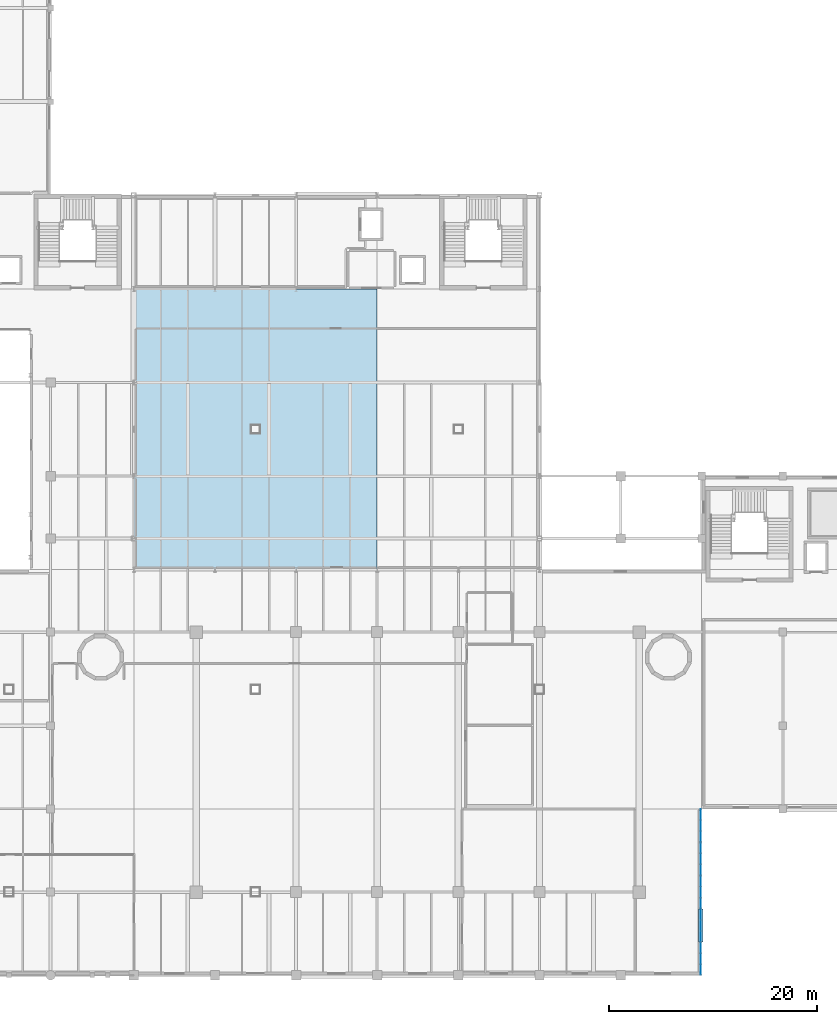
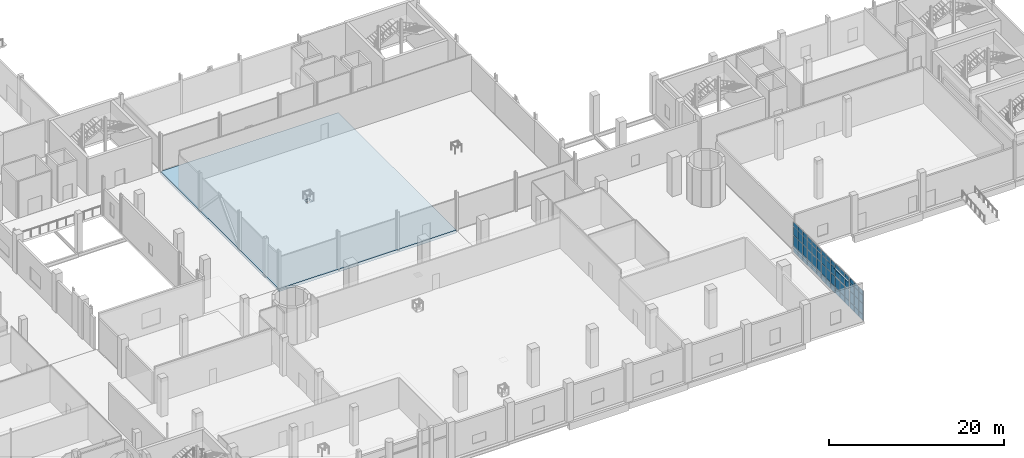
# One storey, part 31 of 57: 61 plates, 1 slab, 5 elements without a shape of their own.
"""IFC4 building model written with IfcOpenShell, lengths in metres."""

from ifc_helpers import new_model, si_unit, derived_unit, direction, frame, origin, origin_2d, place, context, subcontext, project, spatial, polyline, rectangle, outline, extrude, material, layer, layer_set, type_object, element, aggregate, save


model = new_model("IFC4")

# Units and contexts
model_context = context("Model", 3, precision=1e-05, world=origin(), true_north=direction((0.0, 1.0)))
body_context = subcontext(model_context, "Body", "Model", "MODEL_VIEW")
ifc_project = project(units=[si_unit("LENGTHUNIT", "METRE"), si_unit("AREAUNIT", "SQUARE_METRE"), si_unit("VOLUMEUNIT", "CUBIC_METRE"), si_unit("PLANEANGLEUNIT", "RADIAN"), si_unit("MASSUNIT", "GRAM", prefix="KILO"), derived_unit("THERMALTRANSMITTANCEUNIT", [(si_unit("POWERUNIT", "WATT"), 1), (si_unit("LENGTHUNIT", "METRE"), -2), (si_unit("THERMODYNAMICTEMPERATUREUNIT", "KELVIN"), -1)])], contexts=[model_context])

# Site, building, storey
site_placement = place(None, origin())
site = spatial("IfcSite", under=ifc_project, at=site_placement, CompositionType="ELEMENT")
building_placement = place(site_placement, origin())
building = spatial("IfcBuilding", under=site, at=building_placement, Name="Nallur Shell Playhouse", CompositionType="ELEMENT")
storey_placement = place(building_placement, origin())
storey = spatial("IfcBuildingStorey", under=building, at=storey_placement, Name="L01", CompositionType="ELEMENT", Elevation=0.0)

# Curtain wall, plates
ifc_material_1 = material(Name="Anodised Aluminium Double-Glazed Facade System", Category="aluminium")
ifc_layer_1 = layer(ifc_material_1, 0.1640625)
ifc_layer_set_1 = layer_set([ifc_layer_1], Name="Anodised Aluminium Double-Glazed Facade System")
curtain_wall_type_1 = type_object("IfcCurtainWallType", Name="CW-UNIT-01", PredefinedType="NOTDEFINED", material=ifc_layer_set_1)
curtain_wall_1_placement = place(storey_placement, origin())
curtain_wall_1 = element("IfcCurtainWall", 1, at=curtain_wall_1_placement, inside=storey, type_object=curtain_wall_type_1, Name="Unitised curtain wall CW-001 (L01)", PredefinedType="NOTDEFINED")
ifc_material_2 = material(Name="Solar-Control Low-E Laminated Insulating Glass", Category="glass")
ifc_layer_2 = layer(ifc_material_2, 0.02587890625)
ifc_layer_set_2 = layer_set([ifc_layer_2], Name="Solar-Control Low-E Laminated Insulating Glass")
plate_type_1 = type_object("IfcPlateType", Name="PT-GLZ-01", PredefinedType="CURTAIN_PANEL", material=ifc_layer_set_2)
plate_1_placement = place(storey_placement, frame((118.510009765625, 23.451171875, 0.05712890625), z_axis=(0.0, 0.0, 1.0), x_axis=(0.0, -1.0, 0.0)))
plate_1 = element("IfcPlate", 2, at=plate_1_placement, type_object=plate_type_1, Name="CW-01 panel 1.1", PredefinedType="CURTAIN_PANEL", context=body_context, shape_type="SweptSolid", body=[
    extrude(rectangle(XDim=0.9833984375, YDim=0.02587890625, at=origin_2d()), origin(), (0.0, 0.0, 1.0), 0.818603515625),
])
plate_2_placement = place(storey_placement, frame((118.510009765625, 23.451171875, 0.92431640625), z_axis=(0.0, 0.0, 1.0), x_axis=(0.0, -1.0, 0.0)))
plate_2 = element("IfcPlate", 3, at=plate_2_placement, type_object=plate_type_1, Name="CW-01 panel 1.2", PredefinedType="CURTAIN_PANEL", context=body_context, shape_type="SweptSolid", body=[
    extrude(rectangle(XDim=0.9833984375, YDim=0.02587890625, at=origin_2d()), origin(), (0.0, 0.0, 1.0), 1.450927734375),
])
plate_3_placement = place(storey_placement, frame((118.510009765625, 23.451171875, 2.42431640625), z_axis=(0.0, 0.0, 1.0), x_axis=(0.0, -1.0, 0.0)))
plate_3 = element("IfcPlate", 4, at=plate_3_placement, type_object=plate_type_1, Name="CW-01 panel 1.3", PredefinedType="CURTAIN_PANEL", context=body_context, shape_type="SweptSolid", body=[
    extrude(rectangle(XDim=0.9833984375, YDim=0.02587890625, at=origin_2d()), origin(), (0.0, 0.0, 1.0), 1.156005859375),
])
plate_4_placement = place(storey_placement, frame((118.510009765625, 23.451171875, 3.62939453125), z_axis=(0.0, 0.0, 1.0), x_axis=(0.0, -1.0, 0.0)))
plate_4 = element("IfcPlate", 5, at=plate_4_placement, type_object=plate_type_1, Name="CW-01 panel 1.4", PredefinedType="CURTAIN_PANEL", context=body_context, shape_type="SweptSolid", body=[
    extrude(rectangle(XDim=0.9833984375, YDim=0.02587890625, at=origin_2d()), origin(), (0.0, 0.0, 1.0), 0.598388671875),
])
plate_5_placement = place(storey_placement, frame((118.510009765625, 22.402587890625, 0.05712890625), z_axis=(0.0, 0.0, 1.0), x_axis=(0.0, -1.0, 0.0)))
plate_5 = element("IfcPlate", 6, at=plate_5_placement, type_object=plate_type_1, Name="CW-01 panel 2.1", PredefinedType="CURTAIN_PANEL", context=body_context, shape_type="SweptSolid", body=[
    extrude(rectangle(XDim=1.01611328125, YDim=0.02587890625, at=origin_2d()), origin(), (0.0, 0.0, 1.0), 0.818603515625),
])
plate_6_placement = place(storey_placement, frame((118.510009765625, 22.402587890625, 0.92431640625), z_axis=(0.0, 0.0, 1.0), x_axis=(0.0, -1.0, 0.0)))
plate_6 = element("IfcPlate", 7, at=plate_6_placement, type_object=plate_type_1, Name="CW-01 panel 2.2", PredefinedType="CURTAIN_PANEL", context=body_context, shape_type="SweptSolid", body=[
    extrude(rectangle(XDim=1.01611328125, YDim=0.02587890625, at=origin_2d()), origin(), (0.0, 0.0, 1.0), 1.450927734375),
])
plate_7_placement = place(storey_placement, frame((118.510009765625, 22.402587890625, 2.42431640625), z_axis=(0.0, 0.0, 1.0), x_axis=(0.0, -1.0, 0.0)))
plate_7 = element("IfcPlate", 8, at=plate_7_placement, type_object=plate_type_1, Name="CW-01 panel 2.3", PredefinedType="CURTAIN_PANEL", context=body_context, shape_type="SweptSolid", body=[
    extrude(rectangle(XDim=1.01611328125, YDim=0.02587890625, at=origin_2d()), origin(), (0.0, 0.0, 1.0), 1.156005859375),
])
plate_8_placement = place(storey_placement, frame((118.510009765625, 22.402587890625, 3.62939453125), z_axis=(0.0, 0.0, 1.0), x_axis=(0.0, -1.0, 0.0)))
plate_8 = element("IfcPlate", 9, at=plate_8_placement, type_object=plate_type_1, Name="CW-01 panel 2.4", PredefinedType="CURTAIN_PANEL", context=body_context, shape_type="SweptSolid", body=[
    extrude(rectangle(XDim=1.01611328125, YDim=0.02587890625, at=origin_2d()), origin(), (0.0, 0.0, 1.0), 0.598388671875),
])
plate_9_placement = place(storey_placement, frame((118.510009765625, 21.353759765625, 0.05712890625), z_axis=(0.0, 0.0, 1.0), x_axis=(0.0, -1.0, 0.0)))
plate_9 = element("IfcPlate", 10, at=plate_9_placement, type_object=plate_type_1, Name="CW-01 panel 3.1", PredefinedType="CURTAIN_PANEL", context=body_context, shape_type="SweptSolid", body=[
    extrude(rectangle(XDim=0.9833984375, YDim=0.02587890625, at=origin_2d()), origin(), (0.0, 0.0, 1.0), 0.818603515625),
])
plate_10_placement = place(storey_placement, frame((118.510009765625, 21.353759765625, 0.92431640625), z_axis=(0.0, 0.0, 1.0), x_axis=(0.0, -1.0, 0.0)))
plate_10 = element("IfcPlate", 11, at=plate_10_placement, type_object=plate_type_1, Name="CW-01 panel 3.2", PredefinedType="CURTAIN_PANEL", context=body_context, shape_type="SweptSolid", body=[
    extrude(rectangle(XDim=0.9833984375, YDim=0.02587890625, at=origin_2d()), origin(), (0.0, 0.0, 1.0), 1.450927734375),
])
plate_11_placement = place(storey_placement, frame((118.510009765625, 21.353759765625, 2.42431640625), z_axis=(0.0, 0.0, 1.0), x_axis=(0.0, -1.0, 0.0)))
plate_11 = element("IfcPlate", 12, at=plate_11_placement, type_object=plate_type_1, Name="CW-01 panel 3.3", PredefinedType="CURTAIN_PANEL", context=body_context, shape_type="SweptSolid", body=[
    extrude(rectangle(XDim=0.9833984375, YDim=0.02587890625, at=origin_2d()), origin(), (0.0, 0.0, 1.0), 1.156005859375),
])
plate_12_placement = place(storey_placement, frame((118.510009765625, 21.353759765625, 3.62939453125), z_axis=(0.0, 0.0, 1.0), x_axis=(0.0, -1.0, 0.0)))
plate_12 = element("IfcPlate", 13, at=plate_12_placement, type_object=plate_type_1, Name="CW-01 panel 3.4", PredefinedType="CURTAIN_PANEL", context=body_context, shape_type="SweptSolid", body=[
    extrude(rectangle(XDim=0.9833984375, YDim=0.02587890625, at=origin_2d()), origin(), (0.0, 0.0, 1.0), 0.598388671875),
])
aggregate(curtain_wall_1, [plate_1, plate_2, plate_3, plate_4, plate_5, plate_6, plate_7, plate_8, plate_9, plate_10, plate_11, plate_12])

ifc_layer_3 = layer(ifc_material_1, 0.16796875)
ifc_layer_set_3 = layer_set([ifc_layer_3], Name="Anodised Aluminium Double-Glazed Facade System")
curtain_wall_type_2 = type_object("IfcCurtainWallType", Name="CW-UNIT-02", PredefinedType="NOTDEFINED", material=ifc_layer_set_3)
curtain_wall_2_placement = place(storey_placement, origin())
curtain_wall_2 = element("IfcCurtainWall", 14, at=curtain_wall_2_placement, inside=storey, type_object=curtain_wall_type_2, Name="Unitised curtain wall CW-002 (L01)", PredefinedType="NOTDEFINED")
ifc_layer_4 = layer(ifc_material_2, 0.028076171875)
ifc_layer_set_4 = layer_set([ifc_layer_4], Name="Solar-Control Low-E Laminated Insulating Glass")
plate_type_2 = type_object("IfcPlateType", Name="PT-GLZ-02", PredefinedType="CURTAIN_PANEL", material=ifc_layer_set_4)
plate_13_placement = place(storey_placement, frame((118.510009765625, 20.243408203125, 0.092041015625), z_axis=(0.0, 0.0, 1.0), x_axis=(0.0, -1.0, 0.0)))
plate_13 = element("IfcPlate", 15, at=plate_13_placement, type_object=plate_type_2, Name="CW-02 panel 1.1", PredefinedType="CURTAIN_PANEL", context=body_context, shape_type="SweptSolid", body=[
    extrude(rectangle(XDim=0.959228515625, YDim=0.028076171875, at=origin_2d()), origin(), (0.0, 0.0, 1.0), 0.76611328125),
])
plate_14_placement = place(storey_placement, frame((118.510009765625, 20.243408203125, 0.94189453125), z_axis=(0.0, 0.0, 1.0), x_axis=(0.0, -1.0, 0.0)))
plate_14 = element("IfcPlate", 16, at=plate_14_placement, type_object=plate_type_2, Name="CW-02 panel 1.2", PredefinedType="CURTAIN_PANEL", context=body_context, shape_type="SweptSolid", body=[
    extrude(rectangle(XDim=0.959228515625, YDim=0.028076171875, at=origin_2d()), origin(), (0.0, 0.0, 1.0), 1.404052734375),
])
plate_15_placement = place(storey_placement, frame((118.510009765625, 20.243408203125, 2.43017578125), z_axis=(0.0, 0.0, 1.0), x_axis=(0.0, -1.0, 0.0)))
plate_15 = element("IfcPlate", 17, at=plate_15_placement, type_object=plate_type_2, Name="CW-02 panel 1.3", PredefinedType="CURTAIN_PANEL", context=body_context, shape_type="SweptSolid", body=[
    extrude(rectangle(XDim=0.959228515625, YDim=0.028076171875, at=origin_2d()), origin(), (0.0, 0.0, 1.0), 1.113037109375),
])
plate_16_placement = place(storey_placement, frame((118.510009765625, 20.243408203125, 3.626953125), z_axis=(0.0, 0.0, 1.0), x_axis=(0.0, -1.0, 0.0)))
plate_16 = element("IfcPlate", 18, at=plate_16_placement, type_object=plate_type_2, Name="CW-02 panel 1.4", PredefinedType="CURTAIN_PANEL", context=body_context, shape_type="SweptSolid", body=[
    extrude(rectangle(XDim=0.959228515625, YDim=0.028076171875, at=origin_2d()), origin(), (0.0, 0.0, 1.0), 0.5458984375),
])
plate_17_placement = place(storey_placement, frame((118.510009765625, 19.199951171875, 0.092041015625), z_axis=(0.0, 0.0, 1.0), x_axis=(0.0, -1.0, 0.0)))
plate_17 = element("IfcPlate", 19, at=plate_17_placement, type_object=plate_type_2, Name="CW-02 panel 2.1", PredefinedType="CURTAIN_PANEL", context=body_context, shape_type="SweptSolid", body=[
    extrude(rectangle(XDim=0.999267578125, YDim=0.028076171875, at=origin_2d()), origin(), (0.0, 0.0, 1.0), 0.76611328125),
])
plate_18_placement = place(storey_placement, frame((118.510009765625, 19.199951171875, 0.94189453125), z_axis=(0.0, 0.0, 1.0), x_axis=(0.0, -1.0, 0.0)))
plate_18 = element("IfcPlate", 20, at=plate_18_placement, type_object=plate_type_2, Name="CW-02 panel 2.2", PredefinedType="CURTAIN_PANEL", context=body_context, shape_type="SweptSolid", body=[
    extrude(rectangle(XDim=0.999267578125, YDim=0.028076171875, at=origin_2d()), origin(), (0.0, 0.0, 1.0), 1.404052734375),
])
plate_19_placement = place(storey_placement, frame((118.510009765625, 19.199951171875, 2.43017578125), z_axis=(0.0, 0.0, 1.0), x_axis=(0.0, -1.0, 0.0)))
plate_19 = element("IfcPlate", 21, at=plate_19_placement, type_object=plate_type_2, Name="CW-02 panel 2.3", PredefinedType="CURTAIN_PANEL", context=body_context, shape_type="SweptSolid", body=[
    extrude(rectangle(XDim=0.999267578125, YDim=0.028076171875, at=origin_2d()), origin(), (0.0, 0.0, 1.0), 1.113037109375),
])
plate_20_placement = place(storey_placement, frame((118.510009765625, 19.199951171875, 3.626953125), z_axis=(0.0, 0.0, 1.0), x_axis=(0.0, -1.0, 0.0)))
plate_20 = element("IfcPlate", 22, at=plate_20_placement, type_object=plate_type_2, Name="CW-02 panel 2.4", PredefinedType="CURTAIN_PANEL", context=body_context, shape_type="SweptSolid", body=[
    extrude(rectangle(XDim=0.999267578125, YDim=0.028076171875, at=origin_2d()), origin(), (0.0, 0.0, 1.0), 0.5458984375),
])
plate_21_placement = place(storey_placement, frame((118.510009765625, 18.15673828125, 0.092041015625), z_axis=(0.0, 0.0, 1.0), x_axis=(0.0, -1.0, 0.0)))
plate_21 = element("IfcPlate", 23, at=plate_21_placement, type_object=plate_type_2, Name="CW-02 panel 3.1", PredefinedType="CURTAIN_PANEL", context=body_context, shape_type="SweptSolid", body=[
    extrude(rectangle(XDim=0.959228515625, YDim=0.028076171875, at=origin_2d()), origin(), (0.0, 0.0, 1.0), 0.76611328125),
])
plate_22_placement = place(storey_placement, frame((118.510009765625, 18.15673828125, 0.94189453125), z_axis=(0.0, 0.0, 1.0), x_axis=(0.0, -1.0, 0.0)))
plate_22 = element("IfcPlate", 24, at=plate_22_placement, type_object=plate_type_2, Name="CW-02 panel 3.2", PredefinedType="CURTAIN_PANEL", context=body_context, shape_type="SweptSolid", body=[
    extrude(rectangle(XDim=0.959228515625, YDim=0.028076171875, at=origin_2d()), origin(), (0.0, 0.0, 1.0), 1.404052734375),
])
plate_23_placement = place(storey_placement, frame((118.510009765625, 18.15673828125, 2.43017578125), z_axis=(0.0, 0.0, 1.0), x_axis=(0.0, -1.0, 0.0)))
plate_23 = element("IfcPlate", 25, at=plate_23_placement, type_object=plate_type_2, Name="CW-02 panel 3.3", PredefinedType="CURTAIN_PANEL", context=body_context, shape_type="SweptSolid", body=[
    extrude(rectangle(XDim=0.959228515625, YDim=0.028076171875, at=origin_2d()), origin(), (0.0, 0.0, 1.0), 1.113037109375),
])
plate_24_placement = place(storey_placement, frame((118.510009765625, 18.15673828125, 3.626953125), z_axis=(0.0, 0.0, 1.0), x_axis=(0.0, -1.0, 0.0)))
plate_24 = element("IfcPlate", 26, at=plate_24_placement, type_object=plate_type_2, Name="CW-02 panel 3.4", PredefinedType="CURTAIN_PANEL", context=body_context, shape_type="SweptSolid", body=[
    extrude(rectangle(XDim=0.959228515625, YDim=0.028076171875, at=origin_2d()), origin(), (0.0, 0.0, 1.0), 0.5458984375),
])
aggregate(curtain_wall_2, [plate_13, plate_14, plate_15, plate_16, plate_17, plate_18, plate_19, plate_20, plate_21, plate_22, plate_23, plate_24])

ifc_layer_5 = layer(ifc_material_1, 0.172119140625)
ifc_layer_set_5 = layer_set([ifc_layer_5], Name="Anodised Aluminium Double-Glazed Facade System")
curtain_wall_type_3 = type_object("IfcCurtainWallType", Name="CW-UNIT-03", PredefinedType="NOTDEFINED", material=ifc_layer_set_5)
curtain_wall_3_placement = place(storey_placement, origin())
curtain_wall_3 = element("IfcCurtainWall", 27, at=curtain_wall_3_placement, inside=storey, type_object=curtain_wall_type_3, Name="Unitised curtain wall CW-003 (L01)", PredefinedType="NOTDEFINED")
ifc_layer_6 = layer(ifc_material_2, 0.030029296875)
ifc_layer_set_6 = layer_set([ifc_layer_6], Name="Solar-Control Low-E Laminated Insulating Glass")
plate_type_3 = type_object("IfcPlateType", Name="PT-GLZ-03", PredefinedType="CURTAIN_PANEL", material=ifc_layer_set_6)
plate_25_placement = place(storey_placement, frame((118.510009765625, 17.044677734375, 0.05712890625), z_axis=(0.0, 0.0, 1.0), x_axis=(0.0, -1.0, 0.0)))
plate_25 = element("IfcPlate", 28, at=plate_25_placement, type_object=plate_type_3, Name="CW-03 panel 1.1", PredefinedType="CURTAIN_PANEL", context=body_context, shape_type="SweptSolid", body=[
    extrude(rectangle(XDim=0.966796875, YDim=0.030029296875, at=origin_2d()), origin(), (0.0, 0.0, 1.0), 0.818603515625),
])
plate_26_placement = place(storey_placement, frame((118.510009765625, 17.044677734375, 0.92431640625), z_axis=(0.0, 0.0, 1.0), x_axis=(0.0, -1.0, 0.0)))
plate_26 = element("IfcPlate", 29, at=plate_26_placement, type_object=plate_type_3, Name="CW-03 panel 1.2", PredefinedType="CURTAIN_PANEL", context=body_context, shape_type="SweptSolid", body=[
    extrude(rectangle(XDim=0.966796875, YDim=0.030029296875, at=origin_2d()), origin(), (0.0, 0.0, 1.0), 1.427978515625),
])
plate_27_placement = place(storey_placement, frame((118.510009765625, 17.044677734375, 2.4013671875), z_axis=(0.0, 0.0, 1.0), x_axis=(0.0, -1.0, 0.0)))
plate_27 = element("IfcPlate", 30, at=plate_27_placement, type_object=plate_type_3, Name="CW-03 panel 1.3", PredefinedType="CURTAIN_PANEL", context=body_context, shape_type="SweptSolid", body=[
    extrude(rectangle(XDim=0.966796875, YDim=0.030029296875, at=origin_2d()), origin(), (0.0, 0.0, 1.0), 1.138916015625),
])
plate_28_placement = place(storey_placement, frame((118.510009765625, 17.044677734375, 3.58935546875), z_axis=(0.0, 0.0, 1.0), x_axis=(0.0, -1.0, 0.0)))
plate_28 = element("IfcPlate", 31, at=plate_28_placement, type_object=plate_type_3, Name="CW-03 panel 1.4", PredefinedType="CURTAIN_PANEL", context=body_context, shape_type="SweptSolid", body=[
    extrude(rectangle(XDim=0.966796875, YDim=0.030029296875, at=origin_2d()), origin(), (0.0, 0.0, 1.0), 0.598388671875),
])
plate_29_placement = place(storey_placement, frame((118.510009765625, 16.0, 0.05712890625), z_axis=(0.0, 0.0, 1.0), x_axis=(0.0, -1.0, 0.0)))
plate_29 = element("IfcPlate", 32, at=plate_29_placement, type_object=plate_type_3, Name="CW-03 panel 2.1", PredefinedType="CURTAIN_PANEL", context=body_context, shape_type="SweptSolid", body=[
    extrude(rectangle(XDim=1.00439453125, YDim=0.030029296875, at=origin_2d()), origin(), (0.0, 0.0, 1.0), 0.818603515625),
])
plate_30_placement = place(storey_placement, frame((118.510009765625, 16.0, 0.92431640625), z_axis=(0.0, 0.0, 1.0), x_axis=(0.0, -1.0, 0.0)))
plate_30 = element("IfcPlate", 33, at=plate_30_placement, type_object=plate_type_3, Name="CW-03 panel 2.2", PredefinedType="CURTAIN_PANEL", context=body_context, shape_type="SweptSolid", body=[
    extrude(rectangle(XDim=1.00439453125, YDim=0.030029296875, at=origin_2d()), origin(), (0.0, 0.0, 1.0), 1.427978515625),
])
plate_31_placement = place(storey_placement, frame((118.510009765625, 16.0, 2.4013671875), z_axis=(0.0, 0.0, 1.0), x_axis=(0.0, -1.0, 0.0)))
plate_31 = element("IfcPlate", 34, at=plate_31_placement, type_object=plate_type_3, Name="CW-03 panel 2.3", PredefinedType="CURTAIN_PANEL", context=body_context, shape_type="SweptSolid", body=[
    extrude(rectangle(XDim=1.00439453125, YDim=0.030029296875, at=origin_2d()), origin(), (0.0, 0.0, 1.0), 1.138916015625),
])
plate_32_placement = place(storey_placement, frame((118.510009765625, 16.0, 3.58935546875), z_axis=(0.0, 0.0, 1.0), x_axis=(0.0, -1.0, 0.0)))
plate_32 = element("IfcPlate", 35, at=plate_32_placement, type_object=plate_type_3, Name="CW-03 panel 2.4", PredefinedType="CURTAIN_PANEL", context=body_context, shape_type="SweptSolid", body=[
    extrude(rectangle(XDim=1.00439453125, YDim=0.030029296875, at=origin_2d()), origin(), (0.0, 0.0, 1.0), 0.598388671875),
])
plate_33_placement = place(storey_placement, frame((118.510009765625, 14.955322265625, 0.05712890625), z_axis=(0.0, 0.0, 1.0), x_axis=(0.0, -1.0, 0.0)))
plate_33 = element("IfcPlate", 36, at=plate_33_placement, type_object=plate_type_3, Name="CW-03 panel 3.1", PredefinedType="CURTAIN_PANEL", context=body_context, shape_type="SweptSolid", body=[
    extrude(rectangle(XDim=0.966796875, YDim=0.030029296875, at=origin_2d()), origin(), (0.0, 0.0, 1.0), 0.818603515625),
])
plate_34_placement = place(storey_placement, frame((118.510009765625, 14.955322265625, 0.92431640625), z_axis=(0.0, 0.0, 1.0), x_axis=(0.0, -1.0, 0.0)))
plate_34 = element("IfcPlate", 37, at=plate_34_placement, type_object=plate_type_3, Name="CW-03 panel 3.2", PredefinedType="CURTAIN_PANEL", context=body_context, shape_type="SweptSolid", body=[
    extrude(rectangle(XDim=0.966796875, YDim=0.030029296875, at=origin_2d()), origin(), (0.0, 0.0, 1.0), 1.427978515625),
])
plate_35_placement = place(storey_placement, frame((118.510009765625, 14.955322265625, 2.4013671875), z_axis=(0.0, 0.0, 1.0), x_axis=(0.0, -1.0, 0.0)))
plate_35 = element("IfcPlate", 38, at=plate_35_placement, type_object=plate_type_3, Name="CW-03 panel 3.3", PredefinedType="CURTAIN_PANEL", context=body_context, shape_type="SweptSolid", body=[
    extrude(rectangle(XDim=0.966796875, YDim=0.030029296875, at=origin_2d()), origin(), (0.0, 0.0, 1.0), 1.138916015625),
])
plate_36_placement = place(storey_placement, frame((118.510009765625, 14.955322265625, 3.58935546875), z_axis=(0.0, 0.0, 1.0), x_axis=(0.0, -1.0, 0.0)))
plate_36 = element("IfcPlate", 39, at=plate_36_placement, type_object=plate_type_3, Name="CW-03 panel 3.4", PredefinedType="CURTAIN_PANEL", context=body_context, shape_type="SweptSolid", body=[
    extrude(rectangle(XDim=0.966796875, YDim=0.030029296875, at=origin_2d()), origin(), (0.0, 0.0, 1.0), 0.598388671875),
])
aggregate(curtain_wall_3, [plate_25, plate_26, plate_27, plate_28, plate_29, plate_30, plate_31, plate_32, plate_33, plate_34, plate_35, plate_36])

ifc_layer_7 = layer(ifc_material_1, 0.176025390625)
ifc_layer_set_7 = layer_set([ifc_layer_7], Name="Anodised Aluminium Double-Glazed Facade System")
curtain_wall_type_4 = type_object("IfcCurtainWallType", Name="CW-UNIT-04", PredefinedType="NOTDEFINED", material=ifc_layer_set_7)
curtain_wall_4_placement = place(storey_placement, origin())
curtain_wall_4 = element("IfcCurtainWall", 40, at=curtain_wall_4_placement, inside=storey, type_object=curtain_wall_type_4, Name="Unitised curtain wall CW-004 (L01)", PredefinedType="NOTDEFINED")
ifc_layer_8 = layer(ifc_material_2, 0.031982421875)
ifc_layer_set_8 = layer_set([ifc_layer_8], Name="Solar-Control Low-E Laminated Insulating Glass")
plate_type_4 = type_object("IfcPlateType", Name="PT-GLZ-04", PredefinedType="CURTAIN_PANEL", material=ifc_layer_set_8)
plate_37_placement = place(storey_placement, frame((118.510009765625, 13.84716796875, 0.092041015625), z_axis=(0.0, 0.0, 1.0), x_axis=(0.0, -1.0, 0.0)))
plate_37 = element("IfcPlate", 41, at=plate_37_placement, type_object=plate_type_4, Name="CW-04 panel 1.1", PredefinedType="CURTAIN_PANEL", context=body_context, shape_type="SweptSolid", body=[
    extrude(rectangle(XDim=0.98193359375, YDim=0.031982421875, at=origin_2d()), origin(), (0.0, 0.0, 1.0), 0.76611328125),
])
plate_38_placement = place(storey_placement, frame((118.510009765625, 13.84716796875, 0.94189453125), z_axis=(0.0, 0.0, 1.0), x_axis=(0.0, -1.0, 0.0)))
plate_38 = element("IfcPlate", 42, at=plate_38_placement, type_object=plate_type_4, Name="CW-04 panel 1.2", PredefinedType="CURTAIN_PANEL", context=body_context, shape_type="SweptSolid", body=[
    extrude(rectangle(XDim=0.98193359375, YDim=0.031982421875, at=origin_2d()), origin(), (0.0, 0.0, 1.0), 1.427001953125),
])
plate_39_placement = place(storey_placement, frame((118.510009765625, 13.84716796875, 2.453125), z_axis=(0.0, 0.0, 1.0), x_axis=(0.0, -1.0, 0.0)))
plate_39 = element("IfcPlate", 43, at=plate_39_placement, type_object=plate_type_4, Name="CW-04 panel 1.3", PredefinedType="CURTAIN_PANEL", context=body_context, shape_type="SweptSolid", body=[
    extrude(rectangle(XDim=0.98193359375, YDim=0.031982421875, at=origin_2d()), origin(), (0.0, 0.0, 1.0), 1.1298828125),
])
plate_40_placement = place(storey_placement, frame((118.510009765625, 13.84716796875, 3.6669921875), z_axis=(0.0, 0.0, 1.0), x_axis=(0.0, -1.0, 0.0)))
plate_40 = element("IfcPlate", 44, at=plate_40_placement, type_object=plate_type_4, Name="CW-04 panel 1.4", PredefinedType="CURTAIN_PANEL", context=body_context, shape_type="SweptSolid", body=[
    extrude(rectangle(XDim=0.98193359375, YDim=0.031982421875, at=origin_2d()), origin(), (0.0, 0.0, 1.0), 0.5458984375),
])
plate_41_placement = place(storey_placement, frame((118.510009765625, 12.800048828125, 0.092041015625), z_axis=(0.0, 0.0, 1.0), x_axis=(0.0, -1.0, 0.0)))
plate_41 = element("IfcPlate", 45, at=plate_41_placement, type_object=plate_type_4, Name="CW-04 panel 2.1", PredefinedType="CURTAIN_PANEL", context=body_context, shape_type="SweptSolid", body=[
    extrude(rectangle(XDim=1.014404296875, YDim=0.031982421875, at=origin_2d()), origin(), (0.0, 0.0, 1.0), 0.76611328125),
])
plate_42_placement = place(storey_placement, frame((118.510009765625, 12.800048828125, 0.94189453125), z_axis=(0.0, 0.0, 1.0), x_axis=(0.0, -1.0, 0.0)))
plate_42 = element("IfcPlate", 46, at=plate_42_placement, type_object=plate_type_4, Name="CW-04 panel 2.2", PredefinedType="CURTAIN_PANEL", context=body_context, shape_type="SweptSolid", body=[
    extrude(rectangle(XDim=1.014404296875, YDim=0.031982421875, at=origin_2d()), origin(), (0.0, 0.0, 1.0), 1.427001953125),
])
plate_43_placement = place(storey_placement, frame((118.510009765625, 12.800048828125, 2.453125), z_axis=(0.0, 0.0, 1.0), x_axis=(0.0, -1.0, 0.0)))
plate_43 = element("IfcPlate", 47, at=plate_43_placement, type_object=plate_type_4, Name="CW-04 panel 2.3", PredefinedType="CURTAIN_PANEL", context=body_context, shape_type="SweptSolid", body=[
    extrude(rectangle(XDim=1.014404296875, YDim=0.031982421875, at=origin_2d()), origin(), (0.0, 0.0, 1.0), 1.1298828125),
])
plate_44_placement = place(storey_placement, frame((118.510009765625, 12.800048828125, 3.6669921875), z_axis=(0.0, 0.0, 1.0), x_axis=(0.0, -1.0, 0.0)))
plate_44 = element("IfcPlate", 48, at=plate_44_placement, type_object=plate_type_4, Name="CW-04 panel 2.4", PredefinedType="CURTAIN_PANEL", context=body_context, shape_type="SweptSolid", body=[
    extrude(rectangle(XDim=1.014404296875, YDim=0.031982421875, at=origin_2d()), origin(), (0.0, 0.0, 1.0), 0.5458984375),
])
plate_45_placement = place(storey_placement, frame((118.510009765625, 11.7529296875, 0.092041015625), z_axis=(0.0, 0.0, 1.0), x_axis=(0.0, -1.0, 0.0)))
plate_45 = element("IfcPlate", 49, at=plate_45_placement, type_object=plate_type_4, Name="CW-04 panel 3.1", PredefinedType="CURTAIN_PANEL", context=body_context, shape_type="SweptSolid", body=[
    extrude(rectangle(XDim=0.98193359375, YDim=0.031982421875, at=origin_2d()), origin(), (0.0, 0.0, 1.0), 0.76611328125),
])
plate_46_placement = place(storey_placement, frame((118.510009765625, 11.7529296875, 0.94189453125), z_axis=(0.0, 0.0, 1.0), x_axis=(0.0, -1.0, 0.0)))
plate_46 = element("IfcPlate", 50, at=plate_46_placement, type_object=plate_type_4, Name="CW-04 panel 3.2", PredefinedType="CURTAIN_PANEL", context=body_context, shape_type="SweptSolid", body=[
    extrude(rectangle(XDim=0.98193359375, YDim=0.031982421875, at=origin_2d()), origin(), (0.0, 0.0, 1.0), 1.427001953125),
])
plate_47_placement = place(storey_placement, frame((118.510009765625, 11.7529296875, 2.453125), z_axis=(0.0, 0.0, 1.0), x_axis=(0.0, -1.0, 0.0)))
plate_47 = element("IfcPlate", 51, at=plate_47_placement, type_object=plate_type_4, Name="CW-04 panel 3.3", PredefinedType="CURTAIN_PANEL", context=body_context, shape_type="SweptSolid", body=[
    extrude(rectangle(XDim=0.98193359375, YDim=0.031982421875, at=origin_2d()), origin(), (0.0, 0.0, 1.0), 1.1298828125),
])
plate_48_placement = place(storey_placement, frame((118.510009765625, 11.7529296875, 3.6669921875), z_axis=(0.0, 0.0, 1.0), x_axis=(0.0, -1.0, 0.0)))
plate_48 = element("IfcPlate", 52, at=plate_48_placement, type_object=plate_type_4, Name="CW-04 panel 3.4", PredefinedType="CURTAIN_PANEL", context=body_context, shape_type="SweptSolid", body=[
    extrude(rectangle(XDim=0.98193359375, YDim=0.031982421875, at=origin_2d()), origin(), (0.0, 0.0, 1.0), 0.5458984375),
])
aggregate(curtain_wall_4, [plate_37, plate_38, plate_39, plate_40, plate_41, plate_42, plate_43, plate_44, plate_45, plate_46, plate_47, plate_48])

ifc_layer_9 = layer(ifc_material_1, 0.179931640625)
ifc_layer_set_9 = layer_set([ifc_layer_9], Name="Anodised Aluminium Double-Glazed Facade System")
curtain_wall_type_5 = type_object("IfcCurtainWallType", Name="CW-UNIT-05", PredefinedType="NOTDEFINED", material=ifc_layer_set_9)
curtain_wall_5_placement = place(storey_placement, origin())
curtain_wall_5 = element("IfcCurtainWall", 53, at=curtain_wall_5_placement, inside=storey, type_object=curtain_wall_type_5, Name="Unitised curtain wall CW-005 (L01)", PredefinedType="NOTDEFINED")
ifc_layer_10 = layer(ifc_material_2, 0.033935546875)
ifc_layer_set_10 = layer_set([ifc_layer_10], Name="Solar-Control Low-E Laminated Insulating Glass")
plate_type_5 = type_object("IfcPlateType", Name="PT-GLZ-05", PredefinedType="CURTAIN_PANEL", material=ifc_layer_set_10)
plate_49_placement = place(storey_placement, frame((118.510009765625, 10.642578125, 0.05712890625), z_axis=(0.0, 0.0, 1.0), x_axis=(0.0, -1.0, 0.0)))
plate_49 = element("IfcPlate", 54, at=plate_49_placement, type_object=plate_type_5, Name="CW-05 panel 1.1", PredefinedType="CURTAIN_PANEL", context=body_context, shape_type="SweptSolid", body=[
    extrude(rectangle(XDim=0.9609375, YDim=0.033935546875, at=origin_2d()), origin(), (0.0, 0.0, 1.0), 0.818603515625),
])
plate_50_placement = place(storey_placement, frame((118.510009765625, 10.642578125, 0.92431640625), z_axis=(0.0, 0.0, 1.0), x_axis=(0.0, -1.0, 0.0)))
plate_50 = element("IfcPlate", 55, at=plate_50_placement, type_object=plate_type_5, Name="CW-05 panel 1.2", PredefinedType="CURTAIN_PANEL", context=body_context, shape_type="SweptSolid", body=[
    extrude(rectangle(XDim=0.9609375, YDim=0.033935546875, at=origin_2d()), origin(), (0.0, 0.0, 1.0), 1.450927734375),
])
plate_51_placement = place(storey_placement, frame((118.510009765625, 10.642578125, 2.42431640625), z_axis=(0.0, 0.0, 1.0), x_axis=(0.0, -1.0, 0.0)))
plate_51 = element("IfcPlate", 56, at=plate_51_placement, type_object=plate_type_5, Name="CW-05 panel 1.3", PredefinedType="CURTAIN_PANEL", context=body_context, shape_type="SweptSolid", body=[
    extrude(rectangle(XDim=0.9609375, YDim=0.033935546875, at=origin_2d()), origin(), (0.0, 0.0, 1.0), 1.156005859375),
])
plate_52_placement = place(storey_placement, frame((118.510009765625, 10.642578125, 3.62939453125), z_axis=(0.0, 0.0, 1.0), x_axis=(0.0, -1.0, 0.0)))
plate_52 = element("IfcPlate", 57, at=plate_52_placement, type_object=plate_type_5, Name="CW-05 panel 1.4", PredefinedType="CURTAIN_PANEL", context=body_context, shape_type="SweptSolid", body=[
    extrude(rectangle(XDim=0.9609375, YDim=0.033935546875, at=origin_2d()), origin(), (0.0, 0.0, 1.0), 0.598388671875),
])
plate_53_placement = place(storey_placement, frame((118.510009765625, 9.597412109375, 0.05712890625), z_axis=(0.0, 0.0, 1.0), x_axis=(0.0, -1.0, 0.0)))
plate_53 = element("IfcPlate", 58, at=plate_53_placement, type_object=plate_type_5, Name="CW-05 panel 2.1", PredefinedType="CURTAIN_PANEL", context=body_context, shape_type="SweptSolid", body=[
    extrude(rectangle(XDim=1.0009765625, YDim=0.033935546875, at=origin_2d()), origin(), (0.0, 0.0, 1.0), 0.818603515625),
])
plate_54_placement = place(storey_placement, frame((118.510009765625, 9.597412109375, 0.92431640625), z_axis=(0.0, 0.0, 1.0), x_axis=(0.0, -1.0, 0.0)))
plate_54 = element("IfcPlate", 59, at=plate_54_placement, type_object=plate_type_5, Name="CW-05 panel 2.2", PredefinedType="CURTAIN_PANEL", context=body_context, shape_type="SweptSolid", body=[
    extrude(rectangle(XDim=1.0009765625, YDim=0.033935546875, at=origin_2d()), origin(), (0.0, 0.0, 1.0), 1.450927734375),
])
plate_55_placement = place(storey_placement, frame((118.510009765625, 9.597412109375, 2.42431640625), z_axis=(0.0, 0.0, 1.0), x_axis=(0.0, -1.0, 0.0)))
plate_55 = element("IfcPlate", 60, at=plate_55_placement, type_object=plate_type_5, Name="CW-05 panel 2.3", PredefinedType="CURTAIN_PANEL", context=body_context, shape_type="SweptSolid", body=[
    extrude(rectangle(XDim=1.0009765625, YDim=0.033935546875, at=origin_2d()), origin(), (0.0, 0.0, 1.0), 1.156005859375),
])
plate_56_placement = place(storey_placement, frame((118.510009765625, 9.597412109375, 3.62939453125), z_axis=(0.0, 0.0, 1.0), x_axis=(0.0, -1.0, 0.0)))
plate_56 = element("IfcPlate", 61, at=plate_56_placement, type_object=plate_type_5, Name="CW-05 panel 2.4", PredefinedType="CURTAIN_PANEL", context=body_context, shape_type="SweptSolid", body=[
    extrude(rectangle(XDim=1.0009765625, YDim=0.033935546875, at=origin_2d()), origin(), (0.0, 0.0, 1.0), 0.598388671875),
])
plate_57_placement = place(storey_placement, frame((118.510009765625, 8.552490234375, 0.05712890625), z_axis=(0.0, 0.0, 1.0), x_axis=(0.0, -1.0, 0.0)))
plate_57 = element("IfcPlate", 62, at=plate_57_placement, type_object=plate_type_5, Name="CW-05 panel 3.1", PredefinedType="CURTAIN_PANEL", context=body_context, shape_type="SweptSolid", body=[
    extrude(rectangle(XDim=0.9609375, YDim=0.033935546875, at=origin_2d()), origin(), (0.0, 0.0, 1.0), 0.818603515625),
])
plate_58_placement = place(storey_placement, frame((118.510009765625, 8.552490234375, 0.92431640625), z_axis=(0.0, 0.0, 1.0), x_axis=(0.0, -1.0, 0.0)))
plate_58 = element("IfcPlate", 63, at=plate_58_placement, type_object=plate_type_5, Name="CW-05 panel 3.2", PredefinedType="CURTAIN_PANEL", context=body_context, shape_type="SweptSolid", body=[
    extrude(rectangle(XDim=0.9609375, YDim=0.033935546875, at=origin_2d()), origin(), (0.0, 0.0, 1.0), 1.450927734375),
])
plate_59_placement = place(storey_placement, frame((118.510009765625, 8.552490234375, 2.42431640625), z_axis=(0.0, 0.0, 1.0), x_axis=(0.0, -1.0, 0.0)))
plate_59 = element("IfcPlate", 64, at=plate_59_placement, type_object=plate_type_5, Name="CW-05 panel 3.3", PredefinedType="CURTAIN_PANEL", context=body_context, shape_type="SweptSolid", body=[
    extrude(rectangle(XDim=0.9609375, YDim=0.033935546875, at=origin_2d()), origin(), (0.0, 0.0, 1.0), 1.156005859375),
])
plate_60_placement = place(storey_placement, frame((118.510009765625, 8.552490234375, 3.62939453125), z_axis=(0.0, 0.0, 1.0), x_axis=(0.0, -1.0, 0.0)))
plate_60 = element("IfcPlate", 65, at=plate_60_placement, type_object=plate_type_5, Name="CW-05 panel 3.4", PredefinedType="CURTAIN_PANEL", context=body_context, shape_type="SweptSolid", body=[
    extrude(rectangle(XDim=0.9609375, YDim=0.033935546875, at=origin_2d()), origin(), (0.0, 0.0, 1.0), 0.598388671875),
])
aggregate(curtain_wall_5, [plate_49, plate_50, plate_51, plate_52, plate_53, plate_54, plate_55, plate_56, plate_57, plate_58, plate_59, plate_60])

# Plate
ifc_material_3 = material(Name="Terracotta & Gold-Anodised Monsoon Sunshade Blade", Category="masonry")
ifc_layer_11 = layer(ifc_material_3, 0.044921875)
ifc_layer_set_11 = layer_set([ifc_layer_11], Name="Terracotta & Gold-Anodised Monsoon Sunshade Blade")
plate_type_6 = type_object("IfcPlateType", Name="PT-LOUVRE-01", PredefinedType="USERDEFINED", material=ifc_layer_set_11)
plate_61_placement = place(storey_placement, frame((118.510009765625, 12.800048828125, 3.6025390625), z_axis=(0.0, 0.0, 1.0), x_axis=(0.0, -1.0, 0.0)))
element("IfcPlate", 66, at=plate_61_placement, inside=storey, type_object=plate_type_6, Name="Monsoon sunshade louvre blade LV-001", ObjectType="SUNSHADE LOUVRE", PredefinedType="USERDEFINED", context=body_context, shape_type="SweptSolid", body=[
    extrude(rectangle(XDim=3.14990234375, YDim=0.419921875, at=origin_2d()), origin(), (0.0, 0.0, 1.0), 0.044921875),
])

# Slab
ifc_material_4 = material(Name="Concrete M35", Category="concrete")
ifc_layer_12 = layer(ifc_material_4, 0.39990234375)
ifc_layer_set_12 = layer_set([ifc_layer_12], Name="Concrete M35")
slab_type = type_object("IfcSlabType", Name="SL-PLANT-400", PredefinedType="FLOOR", material=ifc_layer_set_12)
slab_placement = place(storey_placement, frame((0.0, 0.0, -0.39990234375)))
element("IfcSlab", 67, at=slab_placement, inside=storey, type_object=slab_type, Name="L01 structural floor slab panel 12", PredefinedType="FLOOR", context=body_context, shape_type="SweptSolid", body=[
    extrude(outline(polyline([(64.0, 47.0), (64.0, 74.0), (87.39990234375, 74.0), (87.39990234375, 47.0), (64.0, 47.0)]), holes=[polyline([(75.35009765625, 60.14990234375), (76.050048828125, 60.14990234375), (76.050048828125, 60.85009765625), (75.35009765625, 60.85009765625), (75.35009765625, 60.14990234375)])]), origin(), (0.0, 0.0, 1.0), 0.39990234375),
])

save(model, "model.ifc")
